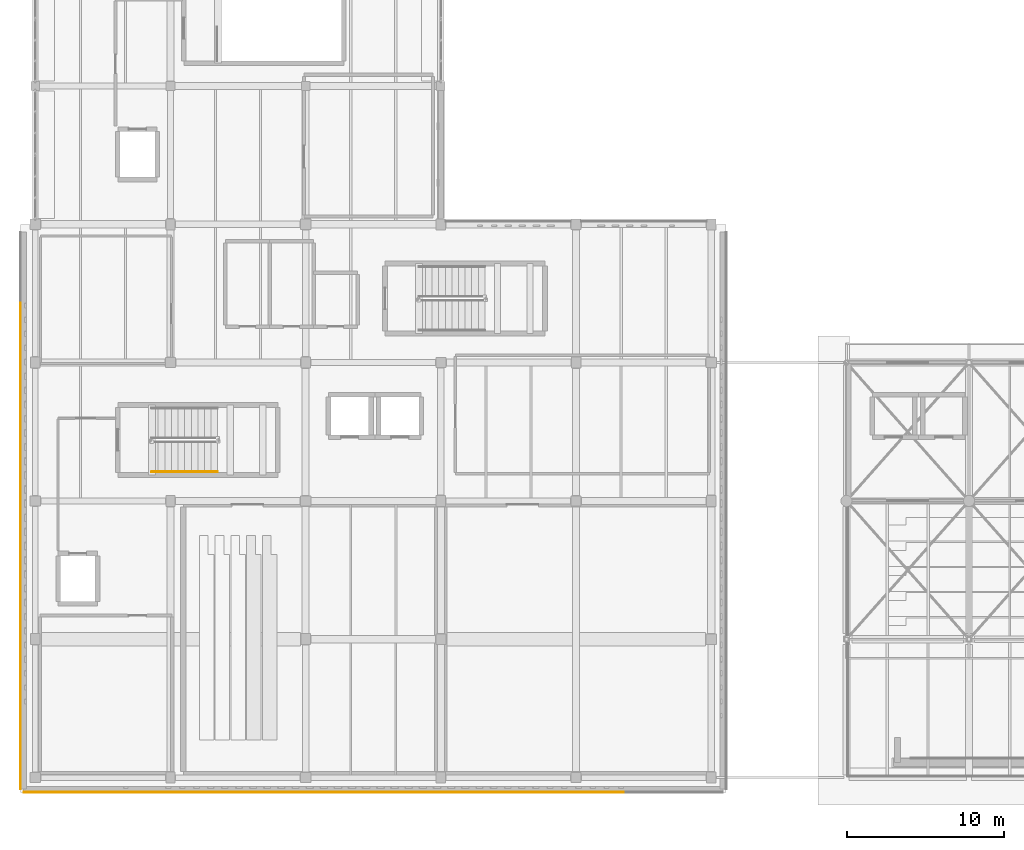
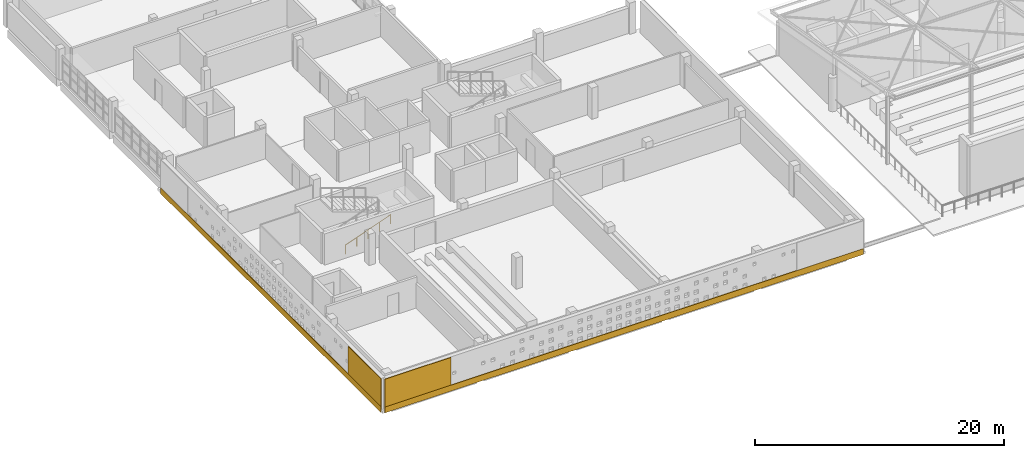
# One storey, part 30 of 34: 4 coverings, 1 railing.
"""IFC4 building model written with IfcOpenShell, lengths in metres."""

from ifc_helpers import new_model, si_unit, direction, frame, origin, origin_2d, place, context, subcontext, project, spatial, rectangle, circle, extrude, material, layer, layer_set, type_object, element, save


model = new_model("IFC4")

# Units and contexts
model_context = context("Model", 3, precision=1e-05, world=origin(), true_north=direction((0.0, 1.0)))
body_context = subcontext(model_context, "Body", "Model", "MODEL_VIEW")
ifc_project = project(units=[si_unit("LENGTHUNIT", "METRE"), si_unit("AREAUNIT", "SQUARE_METRE"), si_unit("VOLUMEUNIT", "CUBIC_METRE"), si_unit("PLANEANGLEUNIT", "RADIAN"), si_unit("MASSUNIT", "GRAM", prefix="KILO")], contexts=[model_context])

# Site, building, storey
site_placement = place(None, origin())
site = spatial("IfcSite", under=ifc_project, at=site_placement, CompositionType="ELEMENT")
building_placement = place(site_placement, origin())
building = spatial("IfcBuilding", under=site, at=building_placement, Name="Varnakota Cinema and Media Centre", CompositionType="ELEMENT")
storey_placement = place(building_placement, frame((0.0, 0.0, 19.050048828125)))
storey = spatial("IfcBuildingStorey", under=building, at=storey_placement, Name="L05", CompositionType="ELEMENT", Elevation=19.050048828125)

# Coverings
ifc_material_1 = material(Name="Pale Tandur limestone cladding", Category="masonry")
ifc_layer_1 = layer(ifc_material_1, 0.06005859375)
ifc_layer_set_1 = layer_set([ifc_layer_1], Name="Pale Tandur limestone cladding")
covering_type = type_object("IfcCoveringType", Name="COV-TANDUR-ASHLAR-60", PredefinedType="CLADDING", material=ifc_layer_set_1)
covering_1_placement = place(storey_placement, frame((21.5, -0.945068359375, -0.25), z_axis=(0.0, 0.0, 1.0), x_axis=(-1.0, 0.0, 0.0)))
element("IfcCovering", 1, at=covering_1_placement, inside=storey, type_object=covering_type, Name="L05 V4 pale Tandur stone spandrel ashlar V4-S", PredefinedType="CLADDING", context=body_context, shape_type="SweptSolid", body=[
    extrude(rectangle(XDim=44.47998046875, YDim=0.06005859375, at=origin_2d()), origin(), (0.0, 0.0, 1.0), 0.580078125),
])
covering_2_placement = place(storey_placement, frame((2.344970703125, -0.945068359375, 0.330078125), z_axis=(0.0, 0.0, 1.0), x_axis=(-1.0, 0.0, 0.0)))
element("IfcCovering", 2, at=covering_2_placement, inside=storey, type_object=covering_type, Name="L05 V4 pale Tandur stone right corner ashlar V4-S", PredefinedType="CLADDING", context=body_context, shape_type="SweptSolid", body=[
    extrude(rectangle(XDim=6.169921875, YDim=0.06005859375, at=origin_2d()), origin(), (0.0, 0.0, 1.0), 2.72998046875),
])
covering_3_placement = place(storey_placement, frame((-0.945068359375, 16.97998046875, -0.25), z_axis=(0.0, 0.0, 1.0), x_axis=(0.0, 1.0, 0.0)))
element("IfcCovering", 3, at=covering_3_placement, inside=storey, type_object=covering_type, Name="L05 V4 pale Tandur stone spandrel ashlar V4-W", PredefinedType="CLADDING", context=body_context, shape_type="SweptSolid", body=[
    extrude(rectangle(XDim=35.43994140625, YDim=0.06005859375, at=origin_2d()), origin(), (0.0, 0.0, 1.0), 0.580078125),
])
covering_4_placement = place(storey_placement, frame((-0.945068359375, 1.885009765625, 0.330078125), z_axis=(0.0, 0.0, 1.0), x_axis=(0.0, 1.0, 0.0)))
element("IfcCovering", 4, at=covering_4_placement, inside=storey, type_object=covering_type, Name="L05 V4 pale Tandur stone left corner ashlar V4-W", PredefinedType="CLADDING", context=body_context, shape_type="SweptSolid", body=[
    extrude(rectangle(XDim=5.25, YDim=0.06005859375, at=origin_2d()), origin(), (0.0, 0.0, 1.0), 2.72998046875),
])

# Railing
ifc_material_2 = material(Name="Structural steel Grade 350 (E350)", Category="steel")
ifc_layer_2 = layer(ifc_material_2, 0.048095703125)
ifc_layer_set_2 = layer_set([ifc_layer_2], Name="Structural steel Grade 350 (E350)")
railing_type = type_object("IfcRailingType", Name="RAIL-STAIR-HAND-900", PredefinedType="HANDRAIL", material=ifc_layer_set_2)
railing_placement = place(storey_placement, frame((7.39990234375, 19.449951171875, 0.14990234375)))
element("IfcRailing", 5, at=railing_placement, inside=storey, type_object=railing_type, Name="L05 ST-01 stair handrail 1", PredefinedType="HANDRAIL", context=body_context, shape_type="SweptSolid", body=[
    extrude(circle(Radius=0.02392578125, at=origin_2d()), frame((0.0, 0.0, 0.8759765625), z_axis=(0.941746865338, 0.0, 0.336322526194), x_axis=(0.0, 1.0, 0.0)), (0.0, 0.0, 1.0), 4.4599609375),
    extrude(circle(Radius=0.02099609375, at=origin_2d()), origin(), (0.0, 0.0, 1.0), 0.851806640625),
    extrude(circle(Radius=0.02099609375, at=origin_2d()), frame((1.050048828125, 0.0, 0.375)), (0.0, 0.0, 1.0), 0.851806640625),
    extrude(circle(Radius=0.02099609375, at=origin_2d()), frame((2.10009765625, 0.0, 0.75)), (0.0, 0.0, 1.0), 0.851806640625),
    extrude(circle(Radius=0.02099609375, at=origin_2d()), frame((3.150146484375, 0.0, 1.125)), (0.0, 0.0, 1.0), 0.851806640625),
    extrude(circle(Radius=0.02099609375, at=origin_2d()), frame((4.2001953125, 0.0, 1.5)), (0.0, 0.0, 1.0), 0.851806640625),
])

save(model, "model.ifc")
